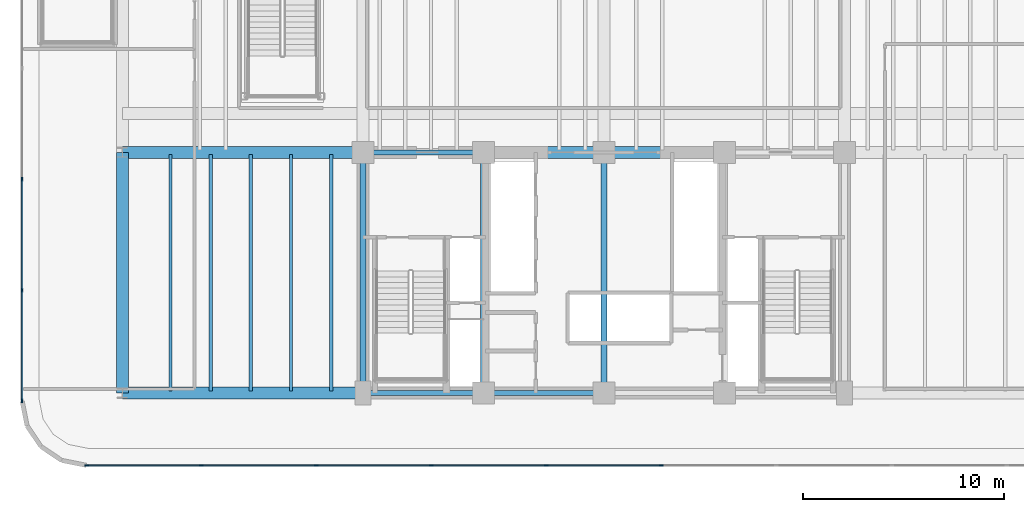
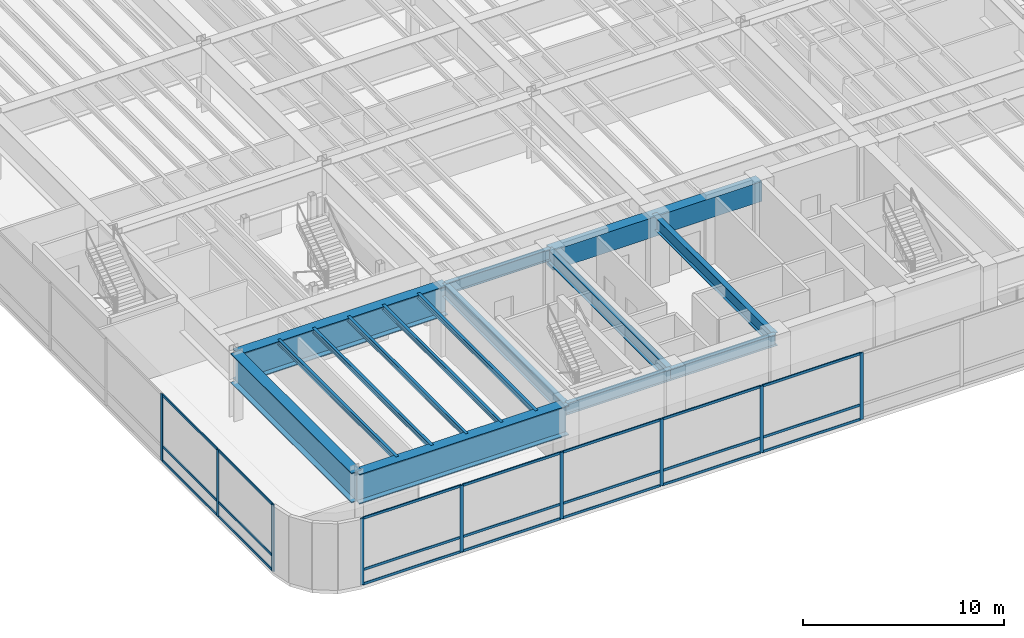
# One storey, part 4 of 19: 30 members, 15 beams, 2 elements without a shape of their own.
"""IFC4 building model written with IfcOpenShell, lengths in metres."""

from ifc_helpers import new_model, si_unit, direction, frame, origin, origin_2d, place, context, subcontext, project, spatial, rectangle, i_section, extrude, source, transform, mapped, material, layer, layer_set, material_profile, profile_set, type_object, element, aggregate, save


model = new_model("IFC4")

# Units and contexts
model_context = context("Model", 3, precision=1e-05, world=origin(), true_north=direction((0.0, 1.0)))
body_context = subcontext(model_context, "Body", "Model", "MODEL_VIEW")
ifc_project = project(units=[si_unit("LENGTHUNIT", "METRE"), si_unit("AREAUNIT", "SQUARE_METRE"), si_unit("VOLUMEUNIT", "CUBIC_METRE"), si_unit("PLANEANGLEUNIT", "RADIAN"), si_unit("MASSUNIT", "GRAM", prefix="KILO")], contexts=[model_context])

# Site, building, storey
site_placement = place(None, origin())
site = spatial("IfcSite", under=ifc_project, at=site_placement, CompositionType="ELEMENT")
building_placement = place(site_placement, origin())
building = spatial("IfcBuilding", under=site, at=building_placement, Name="Brelvock Crest Care Tower", CompositionType="ELEMENT")
storey_placement = place(building_placement, frame((0.0, 0.0, 18.360107421875)))
storey = spatial("IfcBuildingStorey", under=building, at=storey_placement, Name="L04", CompositionType="ELEMENT", Elevation=18.360107421875)

# Beams
ifc_material_1 = material(Name="Concrete S80 (80 MPa)", Category="concrete")
ifc_material_profile_1 = material_profile(ifc_material_1, rectangle(XDim=0.60009765625, YDim=1.199951171875, at=origin_2d()), Name="RC600x1200")
ifc_profile_set_1 = profile_set([ifc_material_profile_1], Name="Concrete S80 (80 MPa)")
beam_type_1 = type_object("IfcBeamType", Name="BM-LN1", PredefinedType="LINTEL", material=ifc_profile_set_1)
shared_shape_1 = source(origin(), body_context, "Body", "SweptSolid", [
    extrude(rectangle(XDim=0.60009765625, YDim=1.199951171875, at=origin_2d()), origin(), (0.0, 0.0, 1.0), 12.0),
])
beam_placement = place(storey_placement, frame((30.0, 18.0, 3.43994140625), z_axis=(1.0, 0.0, 0.0), x_axis=(0.0, 1.0, 0.0)))
element("IfcBeam", 1, at=beam_placement, inside=storey, type_object=beam_type_1, Name="L04 Core Coupling Lintel Beam", PredefinedType="LINTEL", context=body_context, shape_type="MappedRepresentation", body=[
    mapped(shared_shape_1, transform((0.0, 0.0, 0.0), x_axis=(1.0, 0.0, 0.0), y_axis=(0.0, 1.0, 0.0), z_axis=(0.0, 0.0, 1.0), scale=1.0)),
])
ifc_material_2 = material(Name="Steel Grade 350", Category="steel")
ifc_material_profile_2 = material_profile(ifc_material_2, i_section(OverallWidth=0.25, OverallDepth=0.699951171875, WebThickness=0.011962890625, FlangeThickness=0.02001953125, at=origin_2d()), Name="700WB150")
ifc_profile_set_2 = profile_set([ifc_material_profile_2], Name="Steel Grade 350")
beam_type_2 = type_object("IfcBeamType", Name="BM-G4", PredefinedType="BEAM", material=ifc_profile_set_2)
shared_shape_2 = source(origin(), body_context, "Body", "SweptSolid", [
    extrude(i_section(OverallWidth=0.25, OverallDepth=0.699951171875, WebThickness=0.011962890625, FlangeThickness=0.02001953125, at=origin_2d()), origin(), (0.0, 0.0, 1.0), 6.0),
])
for number, where, z_axis, x_axis, name in (
    (2, (24.0, 6.0, 3.68994140625), (1.0, 0.0, 0.0), (0.0, 1.0, 0.0), "BM-CORES-L04-1"),
    (3, (24.0, 18.0, 3.68994140625), (1.0, 0.0, 0.0), (0.0, 1.0, 0.0), "BM-COREN-L04-1"),
    (4, (30.0, 6.0, 3.68994140625), (1.0, 0.0, 0.0), (0.0, 1.0, 0.0), "BM-CORES-L04-2"),
):
    element("IfcBeam", number, at=place(storey_placement, frame(where, z_axis=z_axis, x_axis=x_axis)), inside=storey, type_object=beam_type_2, Name=name, PredefinedType="BEAM", context=body_context, shape_type="MappedRepresentation", body=[
        mapped(shared_shape_2, transform((0.0, 0.0, 0.0), x_axis=(1.0, 0.0, 0.0), y_axis=(0.0, 1.0, 0.0), z_axis=(0.0, 0.0, 1.0), scale=1.0)),
    ])
ifc_material_profile_3 = material_profile(ifc_material_2, i_section(OverallWidth=0.300048828125, OverallDepth=0.800048828125, WebThickness=0.013916015625, FlangeThickness=0.02197265625, at=origin_2d()), Name="800WB192")
ifc_profile_set_3 = profile_set([ifc_material_profile_3], Name="Steel Grade 350")
beam_type_3 = type_object("IfcBeamType", Name="BM-G5", PredefinedType="BEAM", material=ifc_profile_set_3)
shared_shape_3 = source(origin(), body_context, "Body", "SweptSolid", [
    extrude(i_section(OverallWidth=0.300048828125, OverallDepth=0.800048828125, WebThickness=0.013916015625, FlangeThickness=0.02197265625, at=origin_2d()), origin(), (0.0, 0.0, 1.0), 12.0),
])
for number, where, z_axis, x_axis, name in (
    (5, (24.0, 6.0, 3.639892578125), (0.0, 1.0, 0.0), (-1.0, 0.0, 0.0), "BM-COREX-L04-1"),
    (6, (30.0, 6.0, 3.639892578125), (0.0, 1.0, 0.0), (-1.0, 0.0, 0.0), "BM-COREX-L04-2"),
    (7, (36.0, 6.0, 3.639892578125), (0.0, 1.0, 0.0), (-1.0, 0.0, 0.0), "BM-COREX-L04-3"),
):
    element("IfcBeam", number, at=place(storey_placement, frame(where, z_axis=z_axis, x_axis=x_axis)), inside=storey, type_object=beam_type_3, Name=name, PredefinedType="BEAM", context=body_context, shape_type="MappedRepresentation", body=[
        mapped(shared_shape_3, transform((0.0, 0.0, 0.0), x_axis=(1.0, 0.0, 0.0), y_axis=(0.0, 1.0, 0.0), z_axis=(0.0, 0.0, 1.0), scale=1.0)),
    ])
ifc_material_profile_4 = material_profile(ifc_material_2, i_section(OverallWidth=0.166015625, OverallDepth=0.306884765625, WebThickness=0.006591796875, FlangeThickness=0.01171875, FilletRadius=0.011474609375, at=origin_2d()), Name="310UB46.2")
ifc_profile_set_4 = profile_set([ifc_material_profile_4], Name="Steel Grade 350")
beam_type_4 = type_object("IfcBeamType", Name="BM-J2", PredefinedType="JOIST", material=ifc_profile_set_4)
shared_shape_4 = source(origin(), body_context, "Body", "SweptSolid", [
    extrude(i_section(OverallWidth=0.166015625, OverallDepth=0.306884765625, WebThickness=0.006591796875, FlangeThickness=0.01171875, FilletRadius=0.011474609375, at=origin_2d()), origin(), (0.0, 0.0, 1.0), 11.77001953125),
])
for number, where, z_axis, x_axis, name in (
    (8, (14.39990234375, 6.114990234375, 3.886474609375), (0.0, 1.0, 0.0), (-1.0, 0.0, 0.0), "BM-PODSJ-L04-144"),
    (9, (16.39990234375, 6.114990234375, 3.886474609375), (0.0, 1.0, 0.0), (-1.0, 0.0, 0.0), "BM-PODSJ-L04-164"),
    (10, (18.39990234375, 6.114990234375, 3.886474609375), (0.0, 1.0, 0.0), (-1.0, 0.0, 0.0), "BM-PODSJ-L04-184"),
    (11, (20.39990234375, 6.114990234375, 3.886474609375), (0.0, 1.0, 0.0), (-1.0, 0.0, 0.0), "BM-PODSJ-L04-204"),
    (12, (22.39990234375, 6.114990234375, 3.886474609375), (0.0, 1.0, 0.0), (-1.0, 0.0, 0.0), "BM-PODSJ-L04-224"),
):
    element("IfcBeam", number, at=place(storey_placement, frame(where, z_axis=z_axis, x_axis=x_axis)), inside=storey, type_object=beam_type_4, Name=name, PredefinedType="JOIST", context=body_context, shape_type="MappedRepresentation", body=[
        mapped(shared_shape_4, transform((0.0, 0.0, 0.0), x_axis=(1.0, 0.0, 0.0), y_axis=(0.0, 1.0, 0.0), z_axis=(0.0, 0.0, 1.0), scale=1.0)),
    ])
ifc_material_profile_5 = material_profile(ifc_material_2, i_section(OverallWidth=0.60009765625, OverallDepth=1.800048828125, WebThickness=0.028076171875, FlangeThickness=0.052001953125, at=origin_2d()), Name="1800TG740")
ifc_profile_set_5 = profile_set([ifc_material_profile_5], Name="Steel Grade 350")
beam_type_5 = type_object("IfcBeamType", Name="BM-TG1", PredefinedType="USERDEFINED", material=ifc_profile_set_5)
shared_shape_5 = source(origin(), body_context, "Body", "SweptSolid", [
    extrude(i_section(OverallWidth=0.60009765625, OverallDepth=1.800048828125, WebThickness=0.028076171875, FlangeThickness=0.052001953125, at=origin_2d()), origin(), (0.0, 0.0, 1.0), 12.0),
])
for number, where, z_axis, x_axis, name in (
    (13, (12.0, 6.0, 3.139892578125), (1.0, 0.0, 0.0), (0.0, 1.0, 0.0), "BM-PODX-L04-6-12"),
    (14, (12.0, 18.0, 3.139892578125), (1.0, 0.0, 0.0), (0.0, 1.0, 0.0), "BM-PODX-L04-18-12"),
    (15, (12.0, 6.0, 3.139892578125), (0.0, 1.0, 0.0), (-1.0, 0.0, 0.0), "BM-PODY-L04-12-6"),
):
    element("IfcBeam", number, at=place(storey_placement, frame(where, z_axis=z_axis, x_axis=x_axis)), inside=storey, type_object=beam_type_5, Name=name, ObjectType="GIRDER", PredefinedType="USERDEFINED", context=body_context, shape_type="MappedRepresentation", body=[
        mapped(shared_shape_5, transform((0.0, 0.0, 0.0), x_axis=(1.0, 0.0, 0.0), y_axis=(0.0, 1.0, 0.0), z_axis=(0.0, 0.0, 1.0), scale=1.0)),
    ])

# Curtain wall, members
ifc_material_3 = material(Name="Dark Glass Double Glazed Low-E", Category="glass")
ifc_layer = layer(ifc_material_3, 0.179931640625, Name="CWS-1")
ifc_layer_set = layer_set([ifc_layer], Name="Dark Glass Double Glazed Low-E")
curtain_wall_type = type_object("IfcCurtainWallType", Name="CWS-1", PredefinedType="NOTDEFINED", material=ifc_layer_set)
curtain_wall_1_placement = place(storey_placement, origin())
curtain_wall_1 = element("IfcCurtainWall", 16, at=curtain_wall_1_placement, inside=storey, type_object=curtain_wall_type, Name="L04 Curtain Wall E04", PredefinedType="NOTDEFINED")
ifc_material_4 = material(Name="Aluminium 6063-T6", Category="aluminium")
ifc_material_profile_6 = material_profile(ifc_material_4, rectangle(XDim=0.06494140625, YDim=0.14990234375, at=origin_2d()), Name="ALU65x150")
ifc_profile_set_6 = profile_set([ifc_material_profile_6], Name="Aluminium 6063-T6")
member_type_1 = type_object("IfcMemberType", Name="CWT-1", PredefinedType="USERDEFINED", material=ifc_profile_set_6)
shared_shape_6 = source(origin(), body_context, "Body", "SweptSolid", [
    extrude(rectangle(XDim=0.06494140625, YDim=0.14990234375, at=origin_2d()), origin(), (0.0, 0.0, 1.0), 5.435791015625),
])
member_1_placement = place(storey_placement, frame((7.0, 5.6650390625, 0.032470703125), z_axis=(0.0, 1.0, 0.0), x_axis=(-1.0, 0.0, 0.0)))
member_1 = element("IfcMember", 17, at=member_1_placement, type_object=member_type_1, Name="CW-1 transom 1.1", ObjectType="TRANSOM", PredefinedType="USERDEFINED", context=body_context, shape_type="MappedRepresentation", body=[
    mapped(shared_shape_6, transform((0.0, 0.0, 0.0), x_axis=(1.0, 0.0, 0.0), y_axis=(0.0, 1.0, 0.0), z_axis=(0.0, 0.0, 1.0), scale=1.0)),
])
member_2_placement = place(storey_placement, frame((7.0, 5.6650390625, 0.89990234375), z_axis=(0.0, 1.0, 0.0), x_axis=(-1.0, 0.0, 0.0)))
member_2 = element("IfcMember", 18, at=member_2_placement, type_object=member_type_1, Name="CW-1 transom 1.2", ObjectType="TRANSOM", PredefinedType="USERDEFINED", context=body_context, shape_type="MappedRepresentation", body=[
    mapped(shared_shape_6, transform((0.0, 0.0, 0.0), x_axis=(1.0, 0.0, 0.0), y_axis=(0.0, 1.0, 0.0), z_axis=(0.0, 0.0, 1.0), scale=1.0)),
])
member_3_placement = place(storey_placement, frame((7.0, 5.6650390625, 4.00732421875), z_axis=(0.0, 1.0, 0.0), x_axis=(-1.0, 0.0, 0.0)))
member_3 = element("IfcMember", 19, at=member_3_placement, type_object=member_type_1, Name="CW-1 transom 1.3", ObjectType="TRANSOM", PredefinedType="USERDEFINED", context=body_context, shape_type="MappedRepresentation", body=[
    mapped(shared_shape_6, transform((0.0, 0.0, 0.0), x_axis=(1.0, 0.0, 0.0), y_axis=(0.0, 1.0, 0.0), z_axis=(0.0, 0.0, 1.0), scale=1.0)),
])
shared_shape_7 = source(origin(), body_context, "Body", "SweptSolid", [
    extrude(rectangle(XDim=0.06494140625, YDim=0.14990234375, at=origin_2d()), origin(), (0.0, 0.0, 1.0), 5.468505859375),
])
member_4_placement = place(storey_placement, frame((7.0, 11.165771484375, 0.032470703125), z_axis=(0.0, 1.0, 0.0), x_axis=(-1.0, 0.0, 0.0)))
member_4 = element("IfcMember", 20, at=member_4_placement, type_object=member_type_1, Name="CW-1 transom 2.1", ObjectType="TRANSOM", PredefinedType="USERDEFINED", context=body_context, shape_type="MappedRepresentation", body=[
    mapped(shared_shape_7, transform((0.0, 0.0, 0.0), x_axis=(1.0, 0.0, 0.0), y_axis=(0.0, 1.0, 0.0), z_axis=(0.0, 0.0, 1.0), scale=1.0)),
])
member_5_placement = place(storey_placement, frame((7.0, 11.165771484375, 0.89990234375), z_axis=(0.0, 1.0, 0.0), x_axis=(-1.0, 0.0, 0.0)))
member_5 = element("IfcMember", 21, at=member_5_placement, type_object=member_type_1, Name="CW-1 transom 2.2", ObjectType="TRANSOM", PredefinedType="USERDEFINED", context=body_context, shape_type="MappedRepresentation", body=[
    mapped(shared_shape_7, transform((0.0, 0.0, 0.0), x_axis=(1.0, 0.0, 0.0), y_axis=(0.0, 1.0, 0.0), z_axis=(0.0, 0.0, 1.0), scale=1.0)),
])
member_6_placement = place(storey_placement, frame((7.0, 11.165771484375, 4.00732421875), z_axis=(0.0, 1.0, 0.0), x_axis=(-1.0, 0.0, 0.0)))
member_6 = element("IfcMember", 22, at=member_6_placement, type_object=member_type_1, Name="CW-1 transom 2.3", ObjectType="TRANSOM", PredefinedType="USERDEFINED", context=body_context, shape_type="MappedRepresentation", body=[
    mapped(shared_shape_7, transform((0.0, 0.0, 0.0), x_axis=(1.0, 0.0, 0.0), y_axis=(0.0, 1.0, 0.0), z_axis=(0.0, 0.0, 1.0), scale=1.0)),
])

curtain_wall_2_placement = place(storey_placement, origin())
curtain_wall_2 = element("IfcCurtainWall", 23, at=curtain_wall_2_placement, inside=storey, type_object=curtain_wall_type, Name="L04 Curtain Wall E19", PredefinedType="NOTDEFINED")
shared_shape_8 = source(origin(), body_context, "Body", "SweptSolid", [
    extrude(rectangle(XDim=0.06494140625, YDim=0.14990234375, at=origin_2d()), origin(), (0.0, 0.0, 1.0), 5.635986328125),
])
member_7_placement = place(storey_placement, frame((15.90087890625, 2.39990234375, 0.032470703125), z_axis=(-1.0, 0.0, 0.0), x_axis=(0.0, -1.0, 0.0)))
member_7 = element("IfcMember", 24, at=member_7_placement, type_object=member_type_1, Name="CW-1 transom 9.1", ObjectType="TRANSOM", PredefinedType="USERDEFINED", context=body_context, shape_type="MappedRepresentation", body=[
    mapped(shared_shape_8, transform((0.0, 0.0, 0.0), x_axis=(1.0, 0.0, 0.0), y_axis=(0.0, 1.0, 0.0), z_axis=(0.0, 0.0, 1.0), scale=1.0)),
])
member_8_placement = place(storey_placement, frame((15.90087890625, 2.39990234375, 0.89990234375), z_axis=(-1.0, 0.0, 0.0), x_axis=(0.0, -1.0, 0.0)))
member_8 = element("IfcMember", 25, at=member_8_placement, type_object=member_type_1, Name="CW-1 transom 9.2", ObjectType="TRANSOM", PredefinedType="USERDEFINED", context=body_context, shape_type="MappedRepresentation", body=[
    mapped(shared_shape_8, transform((0.0, 0.0, 0.0), x_axis=(1.0, 0.0, 0.0), y_axis=(0.0, 1.0, 0.0), z_axis=(0.0, 0.0, 1.0), scale=1.0)),
])
member_9_placement = place(storey_placement, frame((15.90087890625, 2.39990234375, 4.00732421875), z_axis=(-1.0, 0.0, 0.0), x_axis=(0.0, -1.0, 0.0)))
member_9 = element("IfcMember", 26, at=member_9_placement, type_object=member_type_1, Name="CW-1 transom 9.3", ObjectType="TRANSOM", PredefinedType="USERDEFINED", context=body_context, shape_type="MappedRepresentation", body=[
    mapped(shared_shape_8, transform((0.0, 0.0, 0.0), x_axis=(1.0, 0.0, 0.0), y_axis=(0.0, 1.0, 0.0), z_axis=(0.0, 0.0, 1.0), scale=1.0)),
])
shared_shape_9 = source(origin(), body_context, "Body", "SweptSolid", [
    extrude(rectangle(XDim=0.06494140625, YDim=0.14990234375, at=origin_2d()), origin(), (0.0, 0.0, 1.0), 5.66845703125),
])
member_10_placement = place(storey_placement, frame((38.834228515625, 2.39990234375, 0.032470703125), z_axis=(-1.0, 0.0, 0.0), x_axis=(0.0, -1.0, 0.0)))
member_10 = element("IfcMember", 27, at=member_10_placement, type_object=member_type_1, Name="CW-1 transom 5.1", ObjectType="TRANSOM", PredefinedType="USERDEFINED", context=body_context, shape_type="MappedRepresentation", body=[
    mapped(shared_shape_9, transform((0.0, 0.0, 0.0), x_axis=(1.0, 0.0, 0.0), y_axis=(0.0, 1.0, 0.0), z_axis=(0.0, 0.0, 1.0), scale=1.0)),
])
member_11_placement = place(storey_placement, frame((38.834228515625, 2.39990234375, 0.89990234375), z_axis=(-1.0, 0.0, 0.0), x_axis=(0.0, -1.0, 0.0)))
member_11 = element("IfcMember", 28, at=member_11_placement, type_object=member_type_1, Name="CW-1 transom 5.2", ObjectType="TRANSOM", PredefinedType="USERDEFINED", context=body_context, shape_type="MappedRepresentation", body=[
    mapped(shared_shape_9, transform((0.0, 0.0, 0.0), x_axis=(1.0, 0.0, 0.0), y_axis=(0.0, 1.0, 0.0), z_axis=(0.0, 0.0, 1.0), scale=1.0)),
])
member_12_placement = place(storey_placement, frame((38.834228515625, 2.39990234375, 4.00732421875), z_axis=(-1.0, 0.0, 0.0), x_axis=(0.0, -1.0, 0.0)))
member_12 = element("IfcMember", 29, at=member_12_placement, type_object=member_type_1, Name="CW-1 transom 5.3", ObjectType="TRANSOM", PredefinedType="USERDEFINED", context=body_context, shape_type="MappedRepresentation", body=[
    mapped(shared_shape_9, transform((0.0, 0.0, 0.0), x_axis=(1.0, 0.0, 0.0), y_axis=(0.0, 1.0, 0.0), z_axis=(0.0, 0.0, 1.0), scale=1.0)),
])
member_13_placement = place(storey_placement, frame((21.63427734375, 2.39990234375, 0.032470703125), z_axis=(-1.0, 0.0, 0.0), x_axis=(0.0, -1.0, 0.0)))
member_13 = element("IfcMember", 30, at=member_13_placement, type_object=member_type_1, Name="CW-1 transom 8.1", ObjectType="TRANSOM", PredefinedType="USERDEFINED", context=body_context, shape_type="MappedRepresentation", body=[
    mapped(shared_shape_9, transform((0.0, 0.0, 0.0), x_axis=(1.0, 0.0, 0.0), y_axis=(0.0, 1.0, 0.0), z_axis=(0.0, 0.0, 1.0), scale=1.0)),
])
member_14_placement = place(storey_placement, frame((21.63427734375, 2.39990234375, 0.89990234375), z_axis=(-1.0, 0.0, 0.0), x_axis=(0.0, -1.0, 0.0)))
member_14 = element("IfcMember", 31, at=member_14_placement, type_object=member_type_1, Name="CW-1 transom 8.2", ObjectType="TRANSOM", PredefinedType="USERDEFINED", context=body_context, shape_type="MappedRepresentation", body=[
    mapped(shared_shape_9, transform((0.0, 0.0, 0.0), x_axis=(1.0, 0.0, 0.0), y_axis=(0.0, 1.0, 0.0), z_axis=(0.0, 0.0, 1.0), scale=1.0)),
])
member_15_placement = place(storey_placement, frame((21.63427734375, 2.39990234375, 4.00732421875), z_axis=(-1.0, 0.0, 0.0), x_axis=(0.0, -1.0, 0.0)))
member_15 = element("IfcMember", 32, at=member_15_placement, type_object=member_type_1, Name="CW-1 transom 8.3", ObjectType="TRANSOM", PredefinedType="USERDEFINED", context=body_context, shape_type="MappedRepresentation", body=[
    mapped(shared_shape_9, transform((0.0, 0.0, 0.0), x_axis=(1.0, 0.0, 0.0), y_axis=(0.0, 1.0, 0.0), z_axis=(0.0, 0.0, 1.0), scale=1.0)),
])
shared_shape_10 = source(origin(), body_context, "Body", "SweptSolid", [
    extrude(rectangle(XDim=0.06494140625, YDim=0.14990234375, at=origin_2d()), origin(), (0.0, 0.0, 1.0), 5.668212890625),
])
member_16_placement = place(storey_placement, frame((33.100830078125, 2.39990234375, 0.032470703125), z_axis=(-1.0, 0.0, 0.0), x_axis=(0.0, -1.0, 0.0)))
member_16 = element("IfcMember", 33, at=member_16_placement, type_object=member_type_1, Name="CW-1 transom 6.1", ObjectType="TRANSOM", PredefinedType="USERDEFINED", context=body_context, shape_type="MappedRepresentation", body=[
    mapped(shared_shape_10, transform((0.0, 0.0, 0.0), x_axis=(1.0, 0.0, 0.0), y_axis=(0.0, 1.0, 0.0), z_axis=(0.0, 0.0, 1.0), scale=1.0)),
])
member_17_placement = place(storey_placement, frame((33.100830078125, 2.39990234375, 0.89990234375), z_axis=(-1.0, 0.0, 0.0), x_axis=(0.0, -1.0, 0.0)))
member_17 = element("IfcMember", 34, at=member_17_placement, type_object=member_type_1, Name="CW-1 transom 6.2", ObjectType="TRANSOM", PredefinedType="USERDEFINED", context=body_context, shape_type="MappedRepresentation", body=[
    mapped(shared_shape_10, transform((0.0, 0.0, 0.0), x_axis=(1.0, 0.0, 0.0), y_axis=(0.0, 1.0, 0.0), z_axis=(0.0, 0.0, 1.0), scale=1.0)),
])
member_18_placement = place(storey_placement, frame((33.100830078125, 2.39990234375, 4.00732421875), z_axis=(-1.0, 0.0, 0.0), x_axis=(0.0, -1.0, 0.0)))
member_18 = element("IfcMember", 35, at=member_18_placement, type_object=member_type_1, Name="CW-1 transom 6.3", ObjectType="TRANSOM", PredefinedType="USERDEFINED", context=body_context, shape_type="MappedRepresentation", body=[
    mapped(shared_shape_10, transform((0.0, 0.0, 0.0), x_axis=(1.0, 0.0, 0.0), y_axis=(0.0, 1.0, 0.0), z_axis=(0.0, 0.0, 1.0), scale=1.0)),
])
member_19_placement = place(storey_placement, frame((27.367431640625, 2.39990234375, 0.032470703125), z_axis=(-1.0, 0.0, 0.0), x_axis=(0.0, -1.0, 0.0)))
member_19 = element("IfcMember", 36, at=member_19_placement, type_object=member_type_1, Name="CW-1 transom 7.1", ObjectType="TRANSOM", PredefinedType="USERDEFINED", context=body_context, shape_type="MappedRepresentation", body=[
    mapped(shared_shape_10, transform((0.0, 0.0, 0.0), x_axis=(1.0, 0.0, 0.0), y_axis=(0.0, 1.0, 0.0), z_axis=(0.0, 0.0, 1.0), scale=1.0)),
])
member_20_placement = place(storey_placement, frame((27.367431640625, 2.39990234375, 0.89990234375), z_axis=(-1.0, 0.0, 0.0), x_axis=(0.0, -1.0, 0.0)))
member_20 = element("IfcMember", 37, at=member_20_placement, type_object=member_type_1, Name="CW-1 transom 7.2", ObjectType="TRANSOM", PredefinedType="USERDEFINED", context=body_context, shape_type="MappedRepresentation", body=[
    mapped(shared_shape_10, transform((0.0, 0.0, 0.0), x_axis=(1.0, 0.0, 0.0), y_axis=(0.0, 1.0, 0.0), z_axis=(0.0, 0.0, 1.0), scale=1.0)),
])
member_21_placement = place(storey_placement, frame((27.367431640625, 2.39990234375, 4.00732421875), z_axis=(-1.0, 0.0, 0.0), x_axis=(0.0, -1.0, 0.0)))
member_21 = element("IfcMember", 38, at=member_21_placement, type_object=member_type_1, Name="CW-1 transom 7.3", ObjectType="TRANSOM", PredefinedType="USERDEFINED", context=body_context, shape_type="MappedRepresentation", body=[
    mapped(shared_shape_10, transform((0.0, 0.0, 0.0), x_axis=(1.0, 0.0, 0.0), y_axis=(0.0, 1.0, 0.0), z_axis=(0.0, 0.0, 1.0), scale=1.0)),
])

# Member
ifc_material_profile_7 = material_profile(ifc_material_4, rectangle(XDim=0.06494140625, YDim=0.199951171875, at=origin_2d()), Name="ALU65x200")
ifc_profile_set_7 = profile_set([ifc_material_profile_7], Name="Aluminium 6063-T6")
member_type_2 = type_object("IfcMemberType", Name="CWM-1", PredefinedType="MULLION", material=ifc_profile_set_7)
shared_shape_11 = source(origin(), body_context, "Body", "SweptSolid", [
    extrude(rectangle(XDim=0.06494140625, YDim=0.199951171875, at=origin_2d()), origin(), (0.0, 0.0, 1.0), 4.039794921875),
])
member_22_placement = place(storey_placement, frame((7.0, 5.632568359375, 0.0), z_axis=(0.0, 0.0, 1.0), x_axis=(-1.0, 0.0, 0.0)))
member_22 = element("IfcMember", 39, at=member_22_placement, type_object=member_type_2, Name="CW-1 mullion 1", PredefinedType="MULLION", context=body_context, shape_type="MappedRepresentation", body=[
    mapped(shared_shape_11, transform((0.0, 0.0, 0.0), x_axis=(1.0, 0.0, 0.0), y_axis=(0.0, 1.0, 0.0), z_axis=(0.0, 0.0, 1.0), scale=1.0)),
])

member_23_placement = place(storey_placement, frame((7.0, 11.13330078125, 0.0), z_axis=(0.0, 0.0, 1.0), x_axis=(-1.0, 0.0, 0.0)))
member_23 = element("IfcMember", 40, at=member_23_placement, type_object=member_type_2, Name="CW-1 mullion 2", PredefinedType="MULLION", context=body_context, shape_type="MappedRepresentation", body=[
    mapped(shared_shape_11, transform((0.0, 0.0, 0.0), x_axis=(1.0, 0.0, 0.0), y_axis=(0.0, 1.0, 0.0), z_axis=(0.0, 0.0, 1.0), scale=1.0)),
])

member_24_placement = place(storey_placement, frame((7.0, 16.666748046875, 0.0), z_axis=(0.0, 0.0, 1.0), x_axis=(-1.0, 0.0, 0.0)))
member_24 = element("IfcMember", 41, at=member_24_placement, type_object=member_type_2, Name="CW-1 mullion 3", PredefinedType="MULLION", context=body_context, shape_type="MappedRepresentation", body=[
    mapped(shared_shape_11, transform((0.0, 0.0, 0.0), x_axis=(1.0, 0.0, 0.0), y_axis=(0.0, 1.0, 0.0), z_axis=(0.0, 0.0, 1.0), scale=1.0)),
])

aggregate(curtain_wall_1, [member_22, member_23, member_24, member_1, member_2, member_3, member_4, member_5, member_6])

member_25_placement = place(storey_placement, frame((38.86669921875, 2.39990234375, 0.0), z_axis=(0.0, 0.0, 1.0), x_axis=(0.0, -1.0, 0.0)))
member_25 = element("IfcMember", 42, at=member_25_placement, type_object=member_type_2, Name="CW-1 mullion 5", PredefinedType="MULLION", context=body_context, shape_type="MappedRepresentation", body=[
    mapped(shared_shape_11, transform((0.0, 0.0, 0.0), x_axis=(1.0, 0.0, 0.0), y_axis=(0.0, 1.0, 0.0), z_axis=(0.0, 0.0, 1.0), scale=1.0)),
])

member_26_placement = place(storey_placement, frame((33.13330078125, 2.39990234375, 0.0), z_axis=(0.0, 0.0, 1.0), x_axis=(0.0, -1.0, 0.0)))
member_26 = element("IfcMember", 43, at=member_26_placement, type_object=member_type_2, Name="CW-1 mullion 6", PredefinedType="MULLION", context=body_context, shape_type="MappedRepresentation", body=[
    mapped(shared_shape_11, transform((0.0, 0.0, 0.0), x_axis=(1.0, 0.0, 0.0), y_axis=(0.0, 1.0, 0.0), z_axis=(0.0, 0.0, 1.0), scale=1.0)),
])

member_27_placement = place(storey_placement, frame((27.39990234375, 2.39990234375, 0.0), z_axis=(0.0, 0.0, 1.0), x_axis=(0.0, -1.0, 0.0)))
member_27 = element("IfcMember", 44, at=member_27_placement, type_object=member_type_2, Name="CW-1 mullion 7", PredefinedType="MULLION", context=body_context, shape_type="MappedRepresentation", body=[
    mapped(shared_shape_11, transform((0.0, 0.0, 0.0), x_axis=(1.0, 0.0, 0.0), y_axis=(0.0, 1.0, 0.0), z_axis=(0.0, 0.0, 1.0), scale=1.0)),
])

member_28_placement = place(storey_placement, frame((21.666748046875, 2.39990234375, 0.0), z_axis=(0.0, 0.0, 1.0), x_axis=(0.0, -1.0, 0.0)))
member_28 = element("IfcMember", 45, at=member_28_placement, type_object=member_type_2, Name="CW-1 mullion 8", PredefinedType="MULLION", context=body_context, shape_type="MappedRepresentation", body=[
    mapped(shared_shape_11, transform((0.0, 0.0, 0.0), x_axis=(1.0, 0.0, 0.0), y_axis=(0.0, 1.0, 0.0), z_axis=(0.0, 0.0, 1.0), scale=1.0)),
])

member_29_placement = place(storey_placement, frame((15.933349609375, 2.39990234375, 0.0), z_axis=(0.0, 0.0, 1.0), x_axis=(0.0, -1.0, 0.0)))
member_29 = element("IfcMember", 46, at=member_29_placement, type_object=member_type_2, Name="CW-1 mullion 9", PredefinedType="MULLION", context=body_context, shape_type="MappedRepresentation", body=[
    mapped(shared_shape_11, transform((0.0, 0.0, 0.0), x_axis=(1.0, 0.0, 0.0), y_axis=(0.0, 1.0, 0.0), z_axis=(0.0, 0.0, 1.0), scale=1.0)),
])

member_30_placement = place(storey_placement, frame((10.232421875, 2.39990234375, 0.0), z_axis=(0.0, 0.0, 1.0), x_axis=(0.0, -1.0, 0.0)))
member_30 = element("IfcMember", 47, at=member_30_placement, type_object=member_type_2, Name="CW-1 mullion 10", PredefinedType="MULLION", context=body_context, shape_type="MappedRepresentation", body=[
    mapped(shared_shape_11, transform((0.0, 0.0, 0.0), x_axis=(1.0, 0.0, 0.0), y_axis=(0.0, 1.0, 0.0), z_axis=(0.0, 0.0, 1.0), scale=1.0)),
])

aggregate(curtain_wall_2, [member_25, member_26, member_27, member_28, member_29, member_30, member_10, member_11, member_12, member_16, member_17, member_18, member_19, member_20, member_21, member_13, member_14, member_15, member_7, member_8, member_9])

save(model, "model.ifc")
